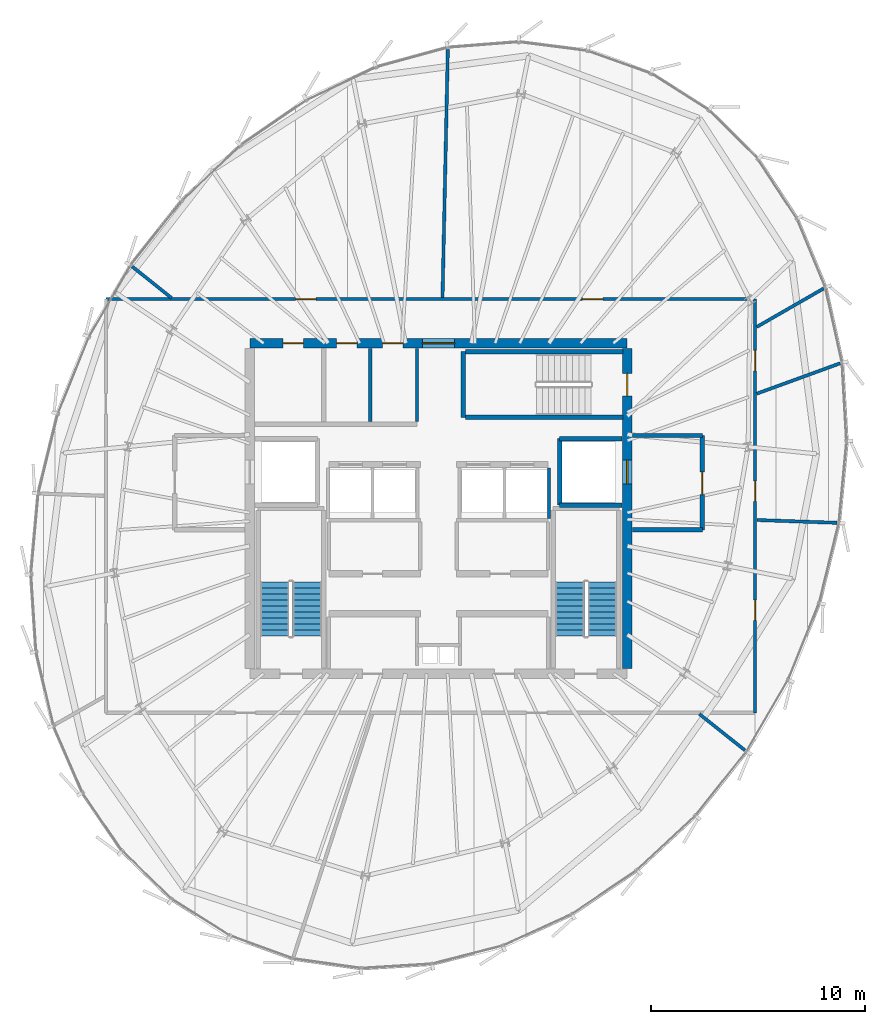
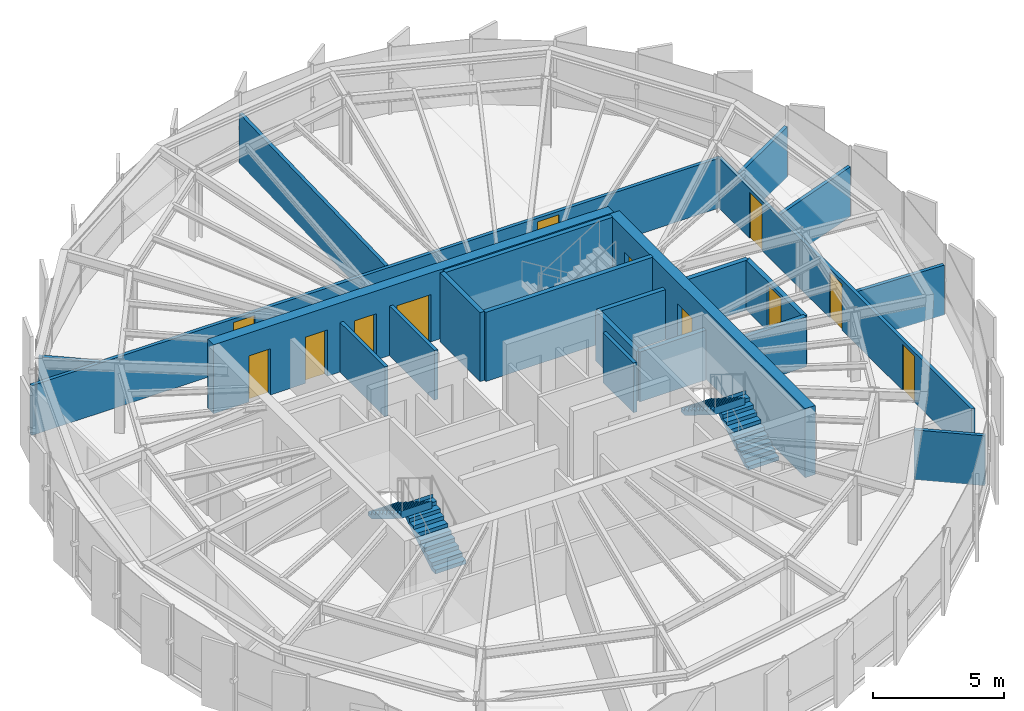
# One storey, part 26 of 31: 22 walls, 12 doors, 4 stair flights, 12 openings, 2 elements without a shape of their own.
"""IFC4 building model written with IfcOpenShell, lengths in metres."""

from ifc_helpers import new_model, si_unit, direction, frame, frame_2d, origin, place, context, subcontext, project, spatial, polyline, rectangle, outline, extrude, source, transform, mapped, material, layer, layer_set, type_object, element, fill, aggregate, save


model = new_model("IFC4")

# Units and contexts
model_context = context("Model", 3, precision=1e-05, world=origin(), true_north=direction((0.0, 1.0)))
body_context = subcontext(model_context, "Body", "Model", "MODEL_VIEW")
ifc_project = project(units=[si_unit("LENGTHUNIT", "METRE"), si_unit("AREAUNIT", "SQUARE_METRE"), si_unit("VOLUMEUNIT", "CUBIC_METRE"), si_unit("PLANEANGLEUNIT", "RADIAN"), si_unit("MASSUNIT", "GRAM", prefix="KILO"), si_unit("THERMODYNAMICTEMPERATUREUNIT", "KELVIN")], contexts=[model_context])

# Site, building, storey
site_placement = place(None, origin())
site = spatial("IfcSite", under=ifc_project, at=site_placement, CompositionType="ELEMENT")
building_placement = place(site_placement, origin())
building = spatial("IfcBuilding", under=site, at=building_placement, Name="Kethvar Cultural Tower", CompositionType="ELEMENT")
storey_placement = place(building_placement, frame((0.0, 0.0, 290.5)))
storey = spatial("IfcBuildingStorey", under=building, at=storey_placement, Name="L77", CompositionType="ELEMENT", Elevation=290.5)

# Wall, openings, doors
ifc_material_1 = material(Name="Concrete C50/60", Category="concrete")
ifc_layer_1 = layer(ifc_material_1, 0.449951171875, Name="Concrete C50/60", Category="concrete")
ifc_layer_set_1 = layer_set([ifc_layer_1], Name="Concrete C50/60 (450 mm)")
wall_type_1 = type_object("IfcWallType", Name="WL-CORE-450", PredefinedType="SHEAR", material=ifc_layer_set_1)
wall_1_placement = place(storey_placement, frame((55.60009765625, 35.5, 0.0), z_axis=(0.0, 0.0, 1.0), x_axis=(-1.0, 0.0, 0.0)))
wall_1 = element("IfcWall", 1, at=wall_1_placement, inside=storey, type_object=wall_type_1, Name="L77 Core Shear Wall N", PredefinedType="SHEAR", context=body_context, shape_type="SweptSolid", body=[
    extrude(rectangle(XDim=17.60009765625, YDim=0.449951171875, at=frame_2d((8.800048828125, 0.0))), origin(), (0.0, 0.0, 1.0), 3.2099609375),
])
opening_1_placement = place(wall_1_placement, frame((8.050048828125, 0.0, 0.0)))
opening_1 = element("IfcOpeningElement", 2, at=opening_1_placement, cuts=wall_1, Name="Opening D-L77-LN", PredefinedType="OPENING", context=body_context, shape_type="SweptSolid", body=[
    extrude(rectangle(XDim=1.5, YDim=2.199951171875, at=frame_2d((0.75, 1.10009765625))), frame((0.0, 0.23486328125, 0.0), z_axis=(0.0, -1.0, 0.0), x_axis=(1.0, 0.0, 0.0)), (0.0, 0.0, 1.0), 0.469970703125),
])
opening_2_placement = place(wall_1_placement, frame((15.10009765625, 0.0, 0.0)))
opening_2 = element("IfcOpeningElement", 3, at=opening_2_placement, cuts=wall_1, Name="Opening D-L77-E1", PredefinedType="OPENING", context=body_context, shape_type="SweptSolid", body=[
    extrude(rectangle(XDim=0.949951171875, YDim=2.14990234375, at=frame_2d((0.47509765625, 1.074951171875))), frame((0.0, 0.23486328125, 0.0), z_axis=(0.0, -1.0, 0.0), x_axis=(1.0, 0.0, 0.0)), (0.0, 0.0, 1.0), 0.469970703125),
])
opening_3_placement = place(wall_1_placement, frame((12.60009765625, 0.0, 0.0)))
opening_3 = element("IfcOpeningElement", 4, at=opening_3_placement, cuts=wall_1, Name="Opening D-L77-W1", PredefinedType="OPENING", context=body_context, shape_type="SweptSolid", body=[
    extrude(rectangle(XDim=0.949951171875, YDim=2.14990234375, at=frame_2d((0.47509765625, 1.074951171875))), frame((0.0, 0.23486328125, 0.0), z_axis=(0.0, -1.0, 0.0), x_axis=(1.0, 0.0, 0.0)), (0.0, 0.0, 1.0), 0.469970703125),
])
opening_4_placement = place(wall_1_placement, frame((10.449951171875, 0.0, 0.0)))
opening_4 = element("IfcOpeningElement", 5, at=opening_4_placement, cuts=wall_1, Name="Opening D-L77-W2", PredefinedType="OPENING", context=body_context, shape_type="SweptSolid", body=[
    extrude(rectangle(XDim=0.949951171875, YDim=2.14990234375, at=frame_2d((0.47509765625, 1.074951171875))), frame((0.0, 0.23486328125, 0.0), z_axis=(0.0, -1.0, 0.0), x_axis=(1.0, 0.0, 0.0)), (0.0, 0.0, 1.0), 0.469970703125),
])
ifc_material_2 = material(Name="Architectural Oak Timber", Category="wood")
door_type_1 = type_object("IfcDoorType", Name="DR-DBL-FD60-1500", OperationType="DOUBLE_DOOR_SINGLE_SWING", PredefinedType="DOOR", material=ifc_material_2)
shared_shape_1 = source(origin(), body_context, "Body", "SweptSolid", [
    extrude(rectangle(XDim=1.5, YDim=2.199951171875, at=frame_2d((0.75, 1.10009765625))), frame((0.0, 0.02490234375, 0.0), z_axis=(0.0, -1.0, 0.0), x_axis=(1.0, 0.0, 0.0)), (0.0, 0.0, 1.0), 0.050048828125),
])
door_1_placement = place(opening_1_placement, origin())
door_1 = element("IfcDoor", 6, at=door_1_placement, inside=storey, type_object=door_type_1, Name="L77 Lift Lobby Concourse Door", OperationType="DOUBLE_DOOR_SINGLE_SWING", OverallHeight=2.199951171875, OverallWidth=1.5, PredefinedType="DOOR", context=body_context, shape_type="MappedRepresentation", body=[
    mapped(shared_shape_1, transform((0.0, 0.0, 0.0), scale=1.0)),
])
fill(opening_1, door_1)
door_type_2 = type_object("IfcDoorType", Name="DR-FD30-950", OperationType="NOTDEFINED", PredefinedType="DOOR", material=ifc_material_2)
shared_shape_2 = source(origin(), body_context, "Body", "SweptSolid", [
    extrude(rectangle(XDim=0.949951171875, YDim=2.14990234375, at=frame_2d((0.47509765625, 1.074951171875))), frame((0.0, 0.02490234375, 0.0), z_axis=(0.0, -1.0, 0.0), x_axis=(1.0, 0.0, 0.0)), (0.0, 0.0, 1.0), 0.050048828125),
])
door_2_placement = place(opening_2_placement, origin())
door_2 = element("IfcDoor", 7, at=door_2_placement, inside=storey, type_object=door_type_2, Name="L77 Electrical Switchgear Door", OperationType="SINGLE_SWING_RIGHT", OverallHeight=2.14990234375, OverallWidth=0.949951171875, PredefinedType="DOOR", context=body_context, shape_type="MappedRepresentation", body=[
    mapped(shared_shape_2, transform((0.0, 0.0, 0.0), scale=1.0)),
])
fill(opening_2, door_2)
door_3_placement = place(opening_3_placement, origin())
door_3 = element("IfcDoor", 8, at=door_3_placement, inside=storey, type_object=door_type_2, Name="L77 Accessible Washroom Door", OperationType="SINGLE_SWING_LEFT", OverallHeight=2.14990234375, OverallWidth=0.949951171875, PredefinedType="DOOR", context=body_context, shape_type="MappedRepresentation", body=[
    mapped(shared_shape_2, transform((0.0, 0.0, 0.0), scale=1.0)),
])
fill(opening_3, door_3)
door_4_placement = place(opening_4_placement, origin())
door_4 = element("IfcDoor", 9, at=door_4_placement, inside=storey, type_object=door_type_2, Name="L77 Public Washroom Door", OperationType="SINGLE_SWING_RIGHT", OverallHeight=2.14990234375, OverallWidth=0.949951171875, PredefinedType="DOOR", context=body_context, shape_type="MappedRepresentation", body=[
    mapped(shared_shape_2, transform((0.0, 0.0, 0.0), scale=1.0)),
])
fill(opening_4, door_4)

wall_2_placement = place(storey_placement, frame((55.60009765625, 20.340087890625, 0.0), z_axis=(0.0, 0.0, 1.0), x_axis=(0.0, 1.0, 0.0)))
wall_2 = element("IfcWall", 10, at=wall_2_placement, inside=storey, type_object=wall_type_1, Name="L77 Core Shear Wall E", PredefinedType="SHEAR", context=body_context, shape_type="SweptSolid", body=[
    extrude(rectangle(XDim=14.919921875, YDim=0.449951171875, at=frame_2d((7.4599609375, 0.0))), origin(), (0.0, 0.0, 1.0), 3.2099609375),
])
opening_5_placement = place(wall_2_placement, frame((12.7099609375, 0.0, 0.0)))
opening_5 = element("IfcOpeningElement", 11, at=opening_5_placement, cuts=wall_2, Name="Opening D-L77-S3", PredefinedType="OPENING", context=body_context, shape_type="SweptSolid", body=[
    extrude(rectangle(XDim=1.050048828125, YDim=2.14990234375, at=frame_2d((0.52490234375, 1.074951171875))), frame((0.0, 0.23486328125, 0.0), z_axis=(0.0, -1.0, 0.0), x_axis=(1.0, 0.0, 0.0)), (0.0, 0.0, 1.0), 0.469970703125),
])
opening_6_placement = place(wall_2_placement, frame((8.610107421875, 0.0, 0.0)))
opening_6 = element("IfcOpeningElement", 12, at=opening_6_placement, cuts=wall_2, Name="Opening LD-2", PredefinedType="OPENING", context=body_context, shape_type="SweptSolid", body=[
    extrude(rectangle(XDim=1.10009765625, YDim=2.199951171875, at=frame_2d((0.550048828125, 1.10009765625))), frame((0.0, 0.23486328125, 0.0), z_axis=(0.0, -1.0, 0.0), x_axis=(1.0, 0.0, 0.0)), (0.0, 0.0, 1.0), 0.469970703125),
])
ifc_material_3 = material(Name="Steel S355J2", Category="steel")
door_type_3 = type_object("IfcDoorType", Name="DR-FD60-1050", OperationType="NOTDEFINED", PredefinedType="DOOR", material=ifc_material_3)
shared_shape_3 = source(origin(), body_context, "Body", "SweptSolid", [
    extrude(rectangle(XDim=1.050048828125, YDim=2.14990234375, at=frame_2d((0.52490234375, 1.074951171875))), frame((0.0, 0.02490234375, 0.0), z_axis=(0.0, -1.0, 0.0), x_axis=(1.0, 0.0, 0.0)), (0.0, 0.0, 1.0), 0.050048828125),
])
door_5_placement = place(opening_5_placement, origin())
door_5 = element("IfcDoor", 13, at=door_5_placement, inside=storey, type_object=door_type_3, Name="L77 Exit Stair 3 Door", OperationType="SINGLE_SWING_LEFT", OverallHeight=2.14990234375, OverallWidth=1.050048828125, PredefinedType="DOOR", context=body_context, shape_type="MappedRepresentation", body=[
    mapped(shared_shape_3, transform((0.0, 0.0, 0.0), scale=1.0)),
])
fill(opening_5, door_5)
door_type_4 = type_object("IfcDoorType", Name="DR-LIFT-SLIDE-1100", OperationType="NOTDEFINED", PredefinedType="DOOR", material=ifc_material_3)
shared_shape_4 = source(origin(), body_context, "Body", "SweptSolid", [
    extrude(rectangle(XDim=1.10009765625, YDim=2.199951171875, at=frame_2d((0.550048828125, 1.10009765625))), frame((0.0, 0.02490234375, 0.0), z_axis=(0.0, -1.0, 0.0), x_axis=(1.0, 0.0, 0.0)), (0.0, 0.0, 1.0), 0.050048828125),
])
door_6_placement = place(opening_6_placement, origin())
door_6 = element("IfcDoor", 14, at=door_6_placement, inside=storey, type_object=door_type_4, Name="L77 Firefighting Lift Landing Door FFL-02", OperationType="SLIDING_TO_RIGHT", OverallHeight=2.199951171875, OverallWidth=1.10009765625, PredefinedType="DOOR", context=body_context, shape_type="MappedRepresentation", body=[
    mapped(shared_shape_4, transform((0.0, 0.0, 0.0), scale=1.0)),
])
fill(opening_6, door_6)

# Walls
ifc_material_4 = material(Name="Gypsum Fireboard Partition")
ifc_layer_2 = layer(ifc_material_4, 0.14990234375, Name="Gypsum Fireboard Partition")
ifc_layer_set_2 = layer_set([ifc_layer_2], Name="Gypsum Fireboard Partition (150 mm)")
wall_type_2 = type_object("IfcWallType", Name="WL-FIRE-150", PredefinedType="PARTITIONING", material=ifc_layer_set_2)
wall_3_placement = place(storey_placement, frame((51.949951171875, 27.340087890625, 0.0), z_axis=(0.0, 0.0, 1.0), x_axis=(0.0, 1.0, 0.0)))
element("IfcWall", 15, at=wall_3_placement, inside=storey, type_object=wall_type_2, Name="L77 High-Rise Lift Shaft Outer Wall E", PredefinedType="PARTITIONING", context=body_context, shape_type="SweptSolid", body=[
    extrude(rectangle(XDim=2.33984375, YDim=0.14990234375, at=frame_2d((1.169921875, 0.0))), origin(), (0.0, 0.0, 1.0), 2.31494140625),
])
wall_4_placement = place(storey_placement, frame((45.800048828125, 31.85009765625, 0.0), z_axis=(0.0, 0.0, 1.0), x_axis=(0.0, 1.0, 0.0)))
element("IfcWall", 16, at=wall_4_placement, inside=storey, type_object=wall_type_2, Name="L77 Sanitary Spine Wall", PredefinedType="PARTITIONING", context=body_context, shape_type="SweptSolid", body=[
    extrude(rectangle(XDim=3.414794921875, YDim=0.14990234375, at=frame_2d((1.70751953125, 0.0))), origin(), (0.0, 0.0, 1.0), 2.31494140625),
])

# Wall, openings, doors
wall_5_placement = place(storey_placement, frame((61.56396484375, 18.26904296875, 0.0), z_axis=(0.0, 0.0, 1.0), x_axis=(0.0, 1.0, 0.0)))
wall_5 = element("IfcWall", 17, at=wall_5_placement, inside=storey, type_object=wall_type_2, Name="L77 Corridor Rated Wall E", PredefinedType="PARTITIONING", context=body_context, shape_type="SweptSolid", body=[
    extrude(rectangle(XDim=19.29296875, YDim=0.14990234375, at=frame_2d((9.646484375, 0.0))), origin(), (0.0, 0.0, 1.0), 2.31494140625),
])
opening_7_placement = place(wall_5_placement, frame((4.311767578125, 0.0, 0.0)))
opening_7 = element("IfcOpeningElement", 18, at=opening_7_placement, cuts=wall_5, Name="Opening D-L77-03", PredefinedType="OPENING", context=body_context, shape_type="SweptSolid", body=[
    extrude(rectangle(XDim=0.949951171875, YDim=2.14990234375, at=frame_2d((0.47509765625, 1.074951171875))), frame((0.0, 0.0849609375, 0.0), z_axis=(0.0, -1.0, 0.0), x_axis=(1.0, 0.0, 0.0)), (0.0, 0.0, 1.0), 0.169921875),
])
opening_8_placement = place(wall_5_placement, frame((9.8583984375, 0.0, 0.0)))
opening_8 = element("IfcOpeningElement", 19, at=opening_8_placement, cuts=wall_5, Name="Opening D-L77-04", PredefinedType="OPENING", context=body_context, shape_type="SweptSolid", body=[
    extrude(rectangle(XDim=0.949951171875, YDim=2.14990234375, at=frame_2d((0.47509765625, 1.074951171875))), frame((0.0, 0.0849609375, 0.0), z_axis=(0.0, -1.0, 0.0), x_axis=(1.0, 0.0, 0.0)), (0.0, 0.0, 1.0), 0.169921875),
])
opening_9_placement = place(wall_5_placement, frame((15.94970703125, 0.0, 0.0)))
opening_9 = element("IfcOpeningElement", 20, at=opening_9_placement, cuts=wall_5, Name="Opening D-L77-05", PredefinedType="OPENING", context=body_context, shape_type="SweptSolid", body=[
    extrude(rectangle(XDim=0.949951171875, YDim=2.14990234375, at=frame_2d((0.47509765625, 1.074951171875))), frame((0.0, 0.0849609375, 0.0), z_axis=(0.0, -1.0, 0.0), x_axis=(1.0, 0.0, 0.0)), (0.0, 0.0, 1.0), 0.169921875),
])
door_7_placement = place(opening_7_placement, origin())
door_7 = element("IfcDoor", 21, at=door_7_placement, inside=storey, type_object=door_type_2, Name="L77 Art Monograph Boutique 03 Door", OperationType="SINGLE_SWING_RIGHT", OverallHeight=2.14990234375, OverallWidth=0.949951171875, PredefinedType="DOOR", context=body_context, shape_type="MappedRepresentation", body=[
    mapped(shared_shape_2, transform((0.0, 0.0, 0.0), scale=1.0)),
])
fill(opening_7, door_7)
door_8_placement = place(opening_8_placement, origin())
door_8 = element("IfcDoor", 22, at=door_8_placement, inside=storey, type_object=door_type_2, Name="L77 Poster Edition Shop 04 Door", OperationType="SINGLE_SWING_LEFT", OverallHeight=2.14990234375, OverallWidth=0.949951171875, PredefinedType="DOOR", context=body_context, shape_type="MappedRepresentation", body=[
    mapped(shared_shape_2, transform((0.0, 0.0, 0.0), scale=1.0)),
])
fill(opening_8, door_8)
door_9_placement = place(opening_9_placement, origin())
door_9 = element("IfcDoor", 23, at=door_9_placement, inside=storey, type_object=door_type_2, Name="L77 Archival Facsimile Shop 05 Door", OperationType="SINGLE_SWING_RIGHT", OverallHeight=2.14990234375, OverallWidth=0.949951171875, PredefinedType="DOOR", context=body_context, shape_type="MappedRepresentation", body=[
    mapped(shared_shape_2, transform((0.0, 0.0, 0.0), scale=1.0)),
])
fill(opening_9, door_9)

wall_6_placement = place(storey_placement, frame((61.56396484375, 37.56201171875, 0.0), z_axis=(0.0, 0.0, 1.0), x_axis=(-1.0, 0.0, 0.0)))
wall_6 = element("IfcWall", 24, at=wall_6_placement, inside=storey, type_object=wall_type_2, Name="L77 Corridor Rated Wall N", PredefinedType="PARTITIONING", context=body_context, shape_type="SweptSolid", body=[
    extrude(rectangle(XDim=30.27392578125, YDim=0.14990234375, at=frame_2d((15.136962890625, 0.0))), origin(), (0.0, 0.0, 1.0), 2.31494140625),
])
opening_10_placement = place(wall_6_placement, frame((7.10400390625, 0.0, 0.0)))
opening_10 = element("IfcOpeningElement", 25, at=opening_10_placement, cuts=wall_6, Name="Opening D-L77-06", PredefinedType="OPENING", context=body_context, shape_type="SweptSolid", body=[
    extrude(rectangle(XDim=0.949951171875, YDim=2.14990234375, at=frame_2d((0.47509765625, 1.074951171875))), frame((0.0, 0.0849609375, 0.0), z_axis=(0.0, -1.0, 0.0), x_axis=(1.0, 0.0, 0.0)), (0.0, 0.0, 1.0), 0.169921875),
])
opening_11_placement = place(wall_6_placement, frame((20.472900390625, 0.0, 0.0)))
opening_11 = element("IfcOpeningElement", 26, at=opening_11_placement, cuts=wall_6, Name="Opening D-L77-07", PredefinedType="OPENING", context=body_context, shape_type="SweptSolid", body=[
    extrude(rectangle(XDim=0.949951171875, YDim=2.14990234375, at=frame_2d((0.47509765625, 1.074951171875))), frame((0.0, 0.0849609375, 0.0), z_axis=(0.0, -1.0, 0.0), x_axis=(1.0, 0.0, 0.0)), (0.0, 0.0, 1.0), 0.169921875),
])
door_10_placement = place(opening_10_placement, origin())
door_10 = element("IfcDoor", 27, at=door_10_placement, inside=storey, type_object=door_type_2, Name="L77 Staff Tea Pantry 06 Door", OperationType="SINGLE_SWING_LEFT", OverallHeight=2.14990234375, OverallWidth=0.949951171875, PredefinedType="DOOR", context=body_context, shape_type="MappedRepresentation", body=[
    mapped(shared_shape_2, transform((0.0, 0.0, 0.0), scale=1.0)),
])
fill(opening_10, door_10)
door_11_placement = place(opening_11_placement, origin())
door_11 = element("IfcDoor", 28, at=door_11_placement, inside=storey, type_object=door_type_2, Name="L77 Docent Espresso Pantry 07 Door", OperationType="SINGLE_SWING_RIGHT", OverallHeight=2.14990234375, OverallWidth=0.949951171875, PredefinedType="DOOR", context=body_context, shape_type="MappedRepresentation", body=[
    mapped(shared_shape_2, transform((0.0, 0.0, 0.0), scale=1.0)),
])
fill(opening_11, door_11)

# Walls
ifc_material_5 = material(Name="Concrete C40/50", Category="concrete")
ifc_layer_3 = layer(ifc_material_5, 0.199951171875, Name="Concrete C40/50", Category="concrete")
ifc_layer_set_3 = layer_set([ifc_layer_3], Name="Concrete C40/50 (200 mm)")
wall_type_3 = type_object("IfcWallType", Name="WL-FIRE-200", PredefinedType="PARTITIONING", material=ifc_layer_set_3)
wall_7_placement = place(storey_placement, frame((52.449951171875, 27.949951171875, 0.0), z_axis=(0.0, 0.0, 1.0), x_axis=(0.0, 1.0, 0.0)))
element("IfcWall", 29, at=wall_7_placement, inside=storey, type_object=wall_type_3, Name="L77 FFL-02 Shaft Inner Wall", PredefinedType="PARTITIONING", context=body_context, shape_type="SweptSolid", body=[
    extrude(rectangle(XDim=3.10009765625, YDim=0.199951171875, at=frame_2d((1.550048828125, 0.0))), origin(), (0.0, 0.0, 1.0), 2.31494140625),
])
for number, where, z_axis, x_axis, name in (
    (30, (52.449951171875, 27.949951171875, 0.0), (0.0, 0.0, 1.0), (1.0, 0.0, 0.0), "L77 FFL-02 Shaft South Wall"),
    (31, (52.449951171875, 31.050048828125, 0.0), (0.0, 0.0, 1.0), (1.0, 0.0, 0.0), "L77 FFL-02 Shaft North Wall"),
):
    element("IfcWall", number, at=place(storey_placement, frame(where, z_axis=z_axis, x_axis=x_axis)), inside=storey, type_object=wall_type_3, Name=name, PredefinedType="PARTITIONING", context=body_context, shape_type="SweptSolid", body=[
        extrude(rectangle(XDim=2.9150390625, YDim=0.199951171875, at=frame_2d((1.45751953125, 0.0))), origin(), (0.0, 0.0, 1.0), 2.31494140625),
    ])

# Wall, opening, door
wall_8_placement = place(storey_placement, frame((59.10009765625, 26.800048828125, 0.0), z_axis=(0.0, 0.0, 1.0), x_axis=(0.0, 1.0, 0.0)))
wall_8 = element("IfcWall", 32, at=wall_8_placement, inside=storey, type_object=wall_type_3, Name="L77 Firefighting Lobby 2 Wall", PredefinedType="PARTITIONING", context=body_context, shape_type="SweptSolid", body=[
    extrude(rectangle(XDim=4.39990234375, YDim=0.199951171875, at=frame_2d((2.199951171875, 0.0))), origin(), (0.0, 0.0, 1.0), 2.31494140625),
])
opening_12_placement = place(wall_8_placement, frame((1.64990234375, 0.0, 0.0)))
opening_12 = element("IfcOpeningElement", 33, at=opening_12_placement, cuts=wall_8, Name="Opening D-L77-F2", PredefinedType="OPENING", context=body_context, shape_type="SweptSolid", body=[
    extrude(rectangle(XDim=1.050048828125, YDim=2.14990234375, at=frame_2d((0.52490234375, 1.074951171875))), frame((0.0, 0.10986328125, 0.0), z_axis=(0.0, -1.0, 0.0), x_axis=(1.0, 0.0, 0.0)), (0.0, 0.0, 1.0), 0.219970703125),
])
door_12_placement = place(opening_12_placement, origin())
door_12 = element("IfcDoor", 34, at=door_12_placement, inside=storey, type_object=door_type_3, Name="L77 Firefighting Lobby 2 Fire Door", OperationType="SINGLE_SWING_LEFT", OverallHeight=2.14990234375, OverallWidth=1.050048828125, PredefinedType="DOOR", context=body_context, shape_type="MappedRepresentation", body=[
    mapped(shared_shape_3, transform((0.0, 0.0, 0.0), scale=1.0)),
])
fill(opening_12, door_12)

# Walls
for number, where, z_axis, x_axis, name in (
    (35, (55.8349609375, 26.800048828125, 0.0), (0.0, 0.0, 1.0), (1.0, 0.0, 0.0), "L77 FF Lobby 2 South Wall"),
    (36, (55.8349609375, 31.199951171875, 0.0), (0.0, 0.0, 1.0), (1.0, 0.0, 0.0), "L77 FF Lobby 2 North Wall"),
):
    element("IfcWall", number, at=place(storey_placement, frame(where, z_axis=z_axis, x_axis=x_axis)), inside=storey, type_object=wall_type_3, Name=name, PredefinedType="PARTITIONING", context=body_context, shape_type="SweptSolid", body=[
        extrude(rectangle(XDim=3.26513671875, YDim=0.199951171875, at=frame_2d((1.632568359375, 0.0))), origin(), (0.0, 0.0, 1.0), 2.31494140625),
    ])
ifc_material_6 = material(Name="Gypsum Acoustic Partition")
ifc_layer_4 = layer(ifc_material_6, 0.14990234375, Name="Gypsum Acoustic Partition")
ifc_layer_set_4 = layer_set([ifc_layer_4], Name="Gypsum Acoustic Partition (150 mm)")
wall_type_4 = type_object("IfcWallType", Name="WL-PART-150", PredefinedType="PARTITIONING", material=ifc_layer_set_4)
wall_9_placement = place(storey_placement, frame((58.95751953125, 18.21923828125, 0.0), z_axis=(0.0, 0.0, 1.0), x_axis=(0.782416187556, -0.622755898767, 0.0)))
element("IfcWall", 37, at=wall_9_placement, inside=storey, type_object=wall_type_4, Name="L77 Radial Partition Wall 03", PredefinedType="PARTITIONING", context=body_context, shape_type="SweptSolid", body=[
    extrude(rectangle(XDim=2.72021484375, YDim=0.14990234375, at=frame_2d((1.360107421875, 0.0))), origin(), (0.0, 0.0, 1.0), 2.31494140625),
])
wall_10_placement = place(storey_placement, frame((61.64404296875, 27.26025390625, 0.0), z_axis=(0.0, 0.0, 1.0), x_axis=(0.999390846182, -0.034898947938, 0.0)))
element("IfcWall", 38, at=wall_10_placement, inside=storey, type_object=wall_type_4, Name="L77 Radial Partition Wall 04", PredefinedType="PARTITIONING", context=body_context, shape_type="SweptSolid", body=[
    extrude(rectangle(XDim=3.735595703125, YDim=0.14990234375, at=frame_2d((1.86767578125, 0.0))), origin(), (0.0, 0.0, 1.0), 2.31494140625),
])
wall_11_placement = place(storey_placement, frame((61.63916015625, 33.15185546875, 0.0), z_axis=(0.0, 0.0, 1.0), x_axis=(0.939686662572, 0.342036512939, 0.0)))
element("IfcWall", 39, at=wall_11_placement, inside=storey, type_object=wall_type_4, Name="L77 Radial Partition Wall 05", PredefinedType="PARTITIONING", context=body_context, shape_type="SweptSolid", body=[
    extrude(rectangle(XDim=4.141357421875, YDim=0.14990234375, at=frame_2d((2.07080078125, 0.0))), origin(), (0.0, 0.0, 1.0), 2.31494140625),
])
wall_12_placement = place(storey_placement, frame((61.63330078125, 36.260009765625, 0.0), z_axis=(0.0, 0.0, 1.0), x_axis=(0.867024695564, 0.498265167639, 0.0)))
element("IfcWall", 40, at=wall_12_placement, inside=storey, type_object=wall_type_4, Name="L77 Radial Partition Wall 06", PredefinedType="PARTITIONING", context=body_context, shape_type="SweptSolid", body=[
    extrude(rectangle(XDim=3.608154296875, YDim=0.14990234375, at=frame_2d((1.80419921875, 0.0))), origin(), (0.0, 0.0, 1.0), 2.31494140625),
])
wall_13_placement = place(storey_placement, frame((46.9873046875, 37.64208984375, 0.0), z_axis=(0.0, 0.0, 1.0), x_axis=(0.0214186766, 0.999770593833, 0.0)))
element("IfcWall", 41, at=wall_13_placement, inside=storey, type_object=wall_type_4, Name="L77 Radial Partition Wall 07", PredefinedType="PARTITIONING", context=body_context, shape_type="SweptSolid", body=[
    extrude(rectangle(XDim=11.55810546875, YDim=0.14990234375, at=frame_2d((5.779052734375, 0.0))), origin(), (0.0, 0.0, 1.0), 2.31494140625),
])
wall_14_placement = place(storey_placement, frame((34.356201171875, 37.61181640625, 0.0), z_axis=(0.0, 0.0, 1.0), x_axis=(-0.781768746215, 0.623568462513, 0.0)))
element("IfcWall", 42, at=wall_14_placement, inside=storey, type_object=wall_type_4, Name="L77 Radial Partition Wall 08", PredefinedType="PARTITIONING", context=body_context, shape_type="SweptSolid", body=[
    extrude(rectangle(XDim=2.353515625, YDim=0.14990234375, at=frame_2d((1.1767578125, 0.0))), origin(), (0.0, 0.0, 1.0), 2.31494140625),
])
ifc_material_7 = material(Name="Moisture-Resistant Sanitary Chase Wall")
ifc_layer_5 = layer(ifc_material_7, 0.14990234375, Name="Moisture-Resistant Sanitary Chase Wall")
ifc_layer_set_5 = layer_set([ifc_layer_5], Name="Moisture-Resistant Sanitary Chase Wall (150 mm)")
wall_type_5 = type_object("IfcWallType", Name="WL-PLUMB-150", PredefinedType="PLUMBINGWALL", material=ifc_layer_set_5)
wall_15_placement = place(storey_placement, frame((43.6201171875, 31.85009765625, 0.0), z_axis=(0.0, 0.0, 1.0), x_axis=(0.0, 1.0, 0.0)))
element("IfcWall", 43, at=wall_15_placement, inside=storey, type_object=wall_type_5, Name="L77 Sanitary Plumbing Wall", PredefinedType="PLUMBINGWALL", context=body_context, shape_type="SweptSolid", body=[
    extrude(rectangle(XDim=3.414794921875, YDim=0.14990234375, at=frame_2d((1.70751953125, 0.0))), origin(), (0.0, 0.0, 1.0), 2.31494140625),
])
ifc_layer_6 = layer(ifc_material_1, 0.199951171875, Name="Concrete C50/60", Category="concrete")
ifc_layer_set_6 = layer_set([ifc_layer_6], Name="Concrete C50/60 (200 mm)")
wall_type_6 = type_object("IfcWallType", Name="WL-STSHAFT-200", PredefinedType="SHEAR", material=ifc_layer_set_6)
wall_16_placement = place(storey_placement, frame((47.949951171875, 32.050048828125, 0.0), z_axis=(0.0, 0.0, 1.0), x_axis=(0.0, 1.0, 0.0)))
element("IfcWall", 44, at=wall_16_placement, inside=storey, type_object=wall_type_6, Name="L77 ST-03 Stair Shaft Wall FAR", PredefinedType="SHEAR", context=body_context, shape_type="SweptSolid", body=[
    extrude(rectangle(XDim=3.06005859375, YDim=0.199951171875, at=frame_2d((1.530029296875, 0.0))), origin(), (0.0, 0.0, 1.0), 3.2099609375),
])
for number, where, z_axis, x_axis, name in (
    (45, (48.050048828125, 35.110107421875, 0.0), (0.0, 0.0, 1.0), (1.0, 0.0, 0.0), "L77 ST-03 Stair Shaft Wall LEFT"),
    (46, (55.39990234375, 32.050048828125, 0.0), (0.0, 0.0, 1.0), (-1.0, 0.0, 0.0), "L77 ST-03 Stair Shaft Wall RIGHT"),
):
    element("IfcWall", number, at=place(storey_placement, frame(where, z_axis=z_axis, x_axis=x_axis)), inside=storey, type_object=wall_type_6, Name=name, PredefinedType="SHEAR", context=body_context, shape_type="SweptSolid", body=[
        extrude(rectangle(XDim=7.349853515625, YDim=0.199951171875, at=frame_2d((3.6748046875, 0.0))), origin(), (0.0, 0.0, 1.0), 3.2099609375),
    ])

# Stair, stair flights
stair_type = type_object("IfcStairType", Name="ST-DOGLEG-135", PredefinedType="HALF_TURN_STAIR", material=ifc_material_5)
stair_1_placement = place(storey_placement, origin())
stair_1 = element("IfcStair", 47, at=stair_1_placement, inside=storey, type_object=stair_type, Name="L77 Core Exit Stair 1", PredefinedType="HALF_TURN_STAIR")
stair_flight_type = type_object("IfcStairFlightType", Name="FL-STRAIGHT-135", PredefinedType="STRAIGHT", material=ifc_material_5)
stair_flight_1_placement = place(storey_placement, frame((40.675048828125, 21.85009765625, 0.0), z_axis=(0.0, 0.0, 1.0), x_axis=(0.0, 1.0, 0.0)))
stair_flight_1 = element("IfcStairFlight", 48, at=stair_flight_1_placement, type_object=stair_flight_type, Name="ST-01 flight 1", NumberOfRisers=10, NumberOfTreads=9, PredefinedType="STRAIGHT", RiserHeight=0.1725, TreadLength=0.28, context=body_context, shape_type="SweptSolid", body=[
    extrude(outline(polyline([(-0.0009765625, -0.0009765625), (-0.0009765625, 0.172607421875), (0.280029296875, 0.172607421875), (0.280029296875, 0.344970703125), (0.56005859375, 0.344970703125), (0.56005859375, 0.517578125), (0.840087890625, 0.517578125), (0.840087890625, 0.68994140625), (1.1201171875, 0.68994140625), (1.1201171875, 0.862548828125), (1.39990234375, 0.862548828125), (1.39990234375, 1.034912109375), (1.679931640625, 1.034912109375), (1.679931640625, 1.20751953125), (1.9599609375, 1.20751953125), (1.9599609375, 1.3798828125), (2.239990234375, 1.3798828125), (2.239990234375, 1.552490234375), (2.52001953125, 1.552490234375), (2.52001953125, 1.72509765625), (2.52099609375, 1.72509765625), (2.52099609375, 1.37646484375), (0.285888671875, 0.0), (0.0, -0.0009765625), (-0.0009765625, -0.0009765625)])), frame((0.0, 0.675048828125, 0.0), z_axis=(0.0, -1.0, 0.0), x_axis=(1.0, 0.0, 0.0)), (0.0, 0.0, 1.0), 1.35009765625),
])
stair_flight_2_placement = place(storey_placement, frame((39.1650390625, 24.3701171875, 1.72509765625), z_axis=(0.0, 0.0, 1.0), x_axis=(0.0, -1.0, 0.0)))
stair_flight_2 = element("IfcStairFlight", 49, at=stair_flight_2_placement, type_object=stair_flight_type, Name="ST-01 flight 2", NumberOfRisers=10, NumberOfTreads=9, PredefinedType="STRAIGHT", RiserHeight=0.1725, TreadLength=0.28, context=body_context, shape_type="SweptSolid", body=[
    extrude(outline(polyline([(-0.0009765625, -0.0009765625), (-0.0009765625, 0.172607421875), (0.280029296875, 0.172607421875), (0.280029296875, 0.344970703125), (0.56005859375, 0.344970703125), (0.56005859375, 0.517578125), (0.840087890625, 0.517578125), (0.840087890625, 0.68994140625), (1.1201171875, 0.68994140625), (1.1201171875, 0.862548828125), (1.39990234375, 0.862548828125), (1.39990234375, 1.034912109375), (1.679931640625, 1.034912109375), (1.679931640625, 1.20751953125), (1.9599609375, 1.20751953125), (1.9599609375, 1.3798828125), (2.239990234375, 1.3798828125), (2.239990234375, 1.552490234375), (2.52001953125, 1.552490234375), (2.52001953125, 1.72509765625), (2.52099609375, 1.72509765625), (2.52099609375, 1.37646484375), (0.285888671875, 0.0), (0.0, -0.0009765625), (-0.0009765625, -0.0009765625)])), frame((0.0, 0.675048828125, 0.0), z_axis=(0.0, -1.0, 0.0), x_axis=(1.0, 0.0, 0.0)), (0.0, 0.0, 1.0), 1.35009765625),
])
aggregate(stair_1, [stair_flight_1, stair_flight_2])

stair_2_placement = place(storey_placement, origin())
stair_2 = element("IfcStair", 50, at=stair_2_placement, inside=storey, type_object=stair_type, Name="L77 Core Exit Stair 2", PredefinedType="HALF_TURN_STAIR")
stair_flight_3_placement = place(storey_placement, frame((54.43505859375, 21.85009765625, 0.0), z_axis=(0.0, 0.0, 1.0), x_axis=(0.0, 1.0, 0.0)))
stair_flight_3 = element("IfcStairFlight", 51, at=stair_flight_3_placement, type_object=stair_flight_type, Name="ST-02 flight 1", NumberOfRisers=10, NumberOfTreads=9, PredefinedType="STRAIGHT", RiserHeight=0.1725, TreadLength=0.28, context=body_context, shape_type="SweptSolid", body=[
    extrude(outline(polyline([(-0.0009765625, -0.0009765625), (-0.0009765625, 0.172607421875), (0.280029296875, 0.172607421875), (0.280029296875, 0.344970703125), (0.56005859375, 0.344970703125), (0.56005859375, 0.517578125), (0.840087890625, 0.517578125), (0.840087890625, 0.68994140625), (1.1201171875, 0.68994140625), (1.1201171875, 0.862548828125), (1.39990234375, 0.862548828125), (1.39990234375, 1.034912109375), (1.679931640625, 1.034912109375), (1.679931640625, 1.20751953125), (1.9599609375, 1.20751953125), (1.9599609375, 1.3798828125), (2.239990234375, 1.3798828125), (2.239990234375, 1.552490234375), (2.52001953125, 1.552490234375), (2.52001953125, 1.72509765625), (2.52099609375, 1.72509765625), (2.52099609375, 1.37646484375), (0.285888671875, 0.0), (0.0, -0.0009765625), (-0.0009765625, -0.0009765625)])), frame((0.0, 0.675048828125, 0.0), z_axis=(0.0, -1.0, 0.0), x_axis=(1.0, 0.0, 0.0)), (0.0, 0.0, 1.0), 1.35009765625),
])
stair_flight_4_placement = place(storey_placement, frame((52.925048828125, 24.3701171875, 1.72509765625), z_axis=(0.0, 0.0, 1.0), x_axis=(0.0, -1.0, 0.0)))
stair_flight_4 = element("IfcStairFlight", 52, at=stair_flight_4_placement, type_object=stair_flight_type, Name="ST-02 flight 2", NumberOfRisers=10, NumberOfTreads=9, PredefinedType="STRAIGHT", RiserHeight=0.1725, TreadLength=0.28, context=body_context, shape_type="SweptSolid", body=[
    extrude(outline(polyline([(-0.0009765625, -0.0009765625), (-0.0009765625, 0.172607421875), (0.280029296875, 0.172607421875), (0.280029296875, 0.344970703125), (0.56005859375, 0.344970703125), (0.56005859375, 0.517578125), (0.840087890625, 0.517578125), (0.840087890625, 0.68994140625), (1.1201171875, 0.68994140625), (1.1201171875, 0.862548828125), (1.39990234375, 0.862548828125), (1.39990234375, 1.034912109375), (1.679931640625, 1.034912109375), (1.679931640625, 1.20751953125), (1.9599609375, 1.20751953125), (1.9599609375, 1.3798828125), (2.239990234375, 1.3798828125), (2.239990234375, 1.552490234375), (2.52001953125, 1.552490234375), (2.52001953125, 1.72509765625), (2.52099609375, 1.72509765625), (2.52099609375, 1.37646484375), (0.285888671875, 0.0), (0.0, -0.0009765625), (-0.0009765625, -0.0009765625)])), frame((0.0, 0.675048828125, 0.0), z_axis=(0.0, -1.0, 0.0), x_axis=(1.0, 0.0, 0.0)), (0.0, 0.0, 1.0), 1.35009765625),
])
aggregate(stair_2, [stair_flight_3, stair_flight_4])

save(model, "model.ifc")
